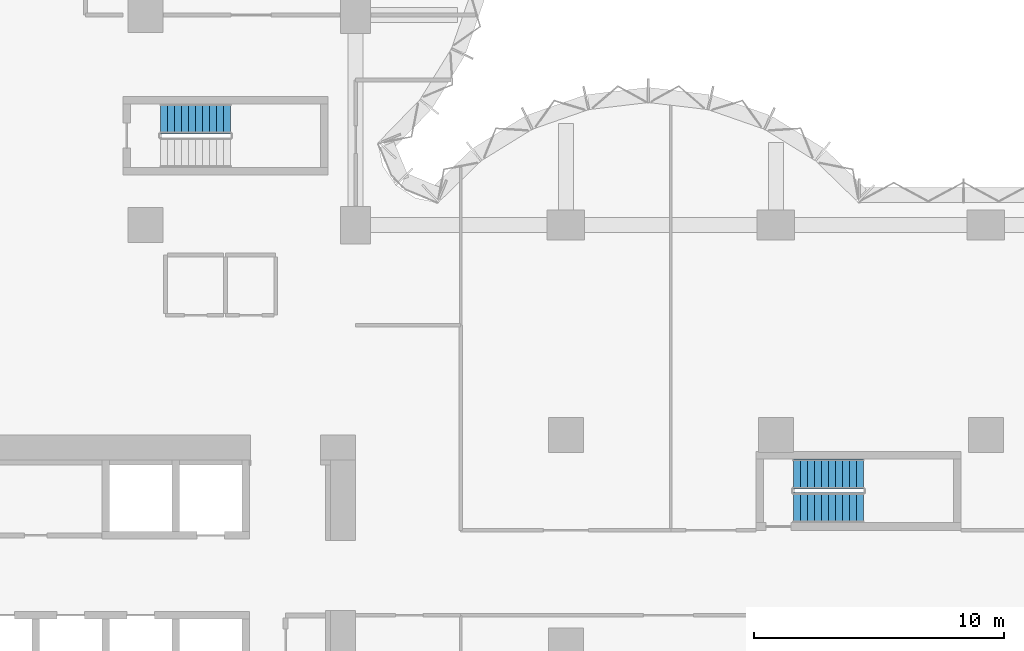
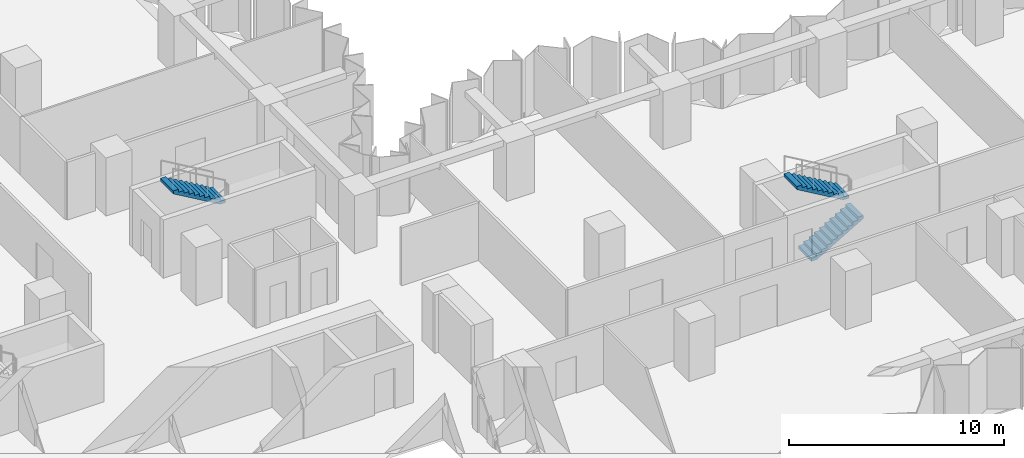
# One storey, part 12 of 15: 3 stair flights, 2 elements without a shape of their own.
"""IFC4 building model written with IfcOpenShell, lengths in metres."""

from ifc_helpers import new_model, si_unit, direction, frame, origin, place, context, subcontext, project, spatial, polyline, outline, extrude, material, type_object, element, aggregate, save


model = new_model("IFC4")

# Units and contexts
model_context = context("Model", 3, precision=1e-05, world=origin(), true_north=direction((0.0, 1.0)))
body_context = subcontext(model_context, "Body", "Model", "MODEL_VIEW")
ifc_project = project(units=[si_unit("LENGTHUNIT", "METRE"), si_unit("AREAUNIT", "SQUARE_METRE"), si_unit("VOLUMEUNIT", "CUBIC_METRE"), si_unit("PLANEANGLEUNIT", "RADIAN"), si_unit("MASSUNIT", "GRAM", prefix="KILO")], contexts=[model_context])

# Site, building, storey
site_placement = place(None, origin())
site = spatial("IfcSite", under=ifc_project, at=site_placement, CompositionType="ELEMENT")
building_placement = place(site_placement, origin())
building = spatial("IfcBuilding", under=site, at=building_placement, Name="Brevane Broadcast Tower", CompositionType="ELEMENT")
storey_placement = place(building_placement, frame((0.0, 0.0, 83.300048828125)))
storey = spatial("IfcBuildingStorey", under=building, at=storey_placement, Name="L19", CompositionType="ELEMENT", Elevation=83.300048828125)

# Stair, stair flight
ifc_material = material(Name="Concrete C50/60", Category="concrete")
stair_type = type_object("IfcStairType", Name="Exit stair 22 risers", PredefinedType="HALF_TURN_STAIR", material=ifc_material)
stair_1_placement = place(storey_placement, origin())
stair_1 = element("IfcStair", 1, at=stair_1_placement, inside=storey, type_object=stair_type, Name="L19 Exit stair ST-3", PredefinedType="HALF_TURN_STAIR")
stair_flight_type = type_object("IfcStairFlightType", Name="Exit stair flight 22 risers", PredefinedType="STRAIGHT", material=ifc_material)
stair_flight_1_placement = place(storey_placement, frame((20.199951171875, 29.449951171875, 1.800048828125), z_axis=(0.0, 0.0, 1.0), x_axis=(-1.0, 0.0, 0.0)))
stair_flight_1 = element("IfcStairFlight", 2, at=stair_flight_1_placement, type_object=stair_flight_type, Name="ST-3 flight 2", NumberOfRisers=11, NumberOfTreads=10, PredefinedType="STRAIGHT", RiserHeight=0.163636364, TreadLength=0.28, context=body_context, shape_type="SweptSolid", body=[
    extrude(outline(polyline([(0.0, 0.0), (0.0, 0.16357421875), (0.280029296875, 0.16357421875), (0.280029296875, 0.327392578125), (0.56005859375, 0.327392578125), (0.56005859375, 0.490966796875), (0.840087890625, 0.490966796875), (0.840087890625, 0.654541015625), (1.1201171875, 0.654541015625), (1.1201171875, 0.818115234375), (1.39990234375, 0.818115234375), (1.39990234375, 0.98193359375), (1.679931640625, 0.98193359375), (1.679931640625, 1.1455078125), (1.9599609375, 1.1455078125), (1.9599609375, 1.30908203125), (2.239990234375, 1.30908203125), (2.239990234375, 1.47265625), (2.52001953125, 1.47265625), (2.52001953125, 1.636474609375), (2.800048828125, 1.636474609375), (2.800048828125, 1.800048828125), (2.800048828125, 1.462646484375), (0.297119140625, 0.0), (0.0, 0.0)])), frame((0.0, 0.60009765625, 0.0), z_axis=(0.0, -1.0, 0.0), x_axis=(1.0, 0.0, 0.0)), (0.0, 0.0, 1.0), 1.199951171875),
])
aggregate(stair_1, [stair_flight_1])

# Stair, stair flights
stair_2_placement = place(storey_placement, origin())
stair_2 = element("IfcStair", 3, at=stair_2_placement, inside=storey, type_object=stair_type, Name="L19 Exit stair ST-4", PredefinedType="HALF_TURN_STAIR")
stair_flight_2_placement = place(storey_placement, frame((42.699951171875, 13.89990234375, 0.0), z_axis=(0.0, 0.0, 1.0), x_axis=(1.0, 0.0, 0.0)))
stair_flight_2 = element("IfcStairFlight", 4, at=stair_flight_2_placement, type_object=stair_flight_type, Name="ST-4 flight 1", NumberOfRisers=11, NumberOfTreads=10, PredefinedType="STRAIGHT", RiserHeight=0.163636364, TreadLength=0.28, context=body_context, shape_type="SweptSolid", body=[
    extrude(outline(polyline([(0.0, 0.0), (0.0, 0.16357421875), (0.280029296875, 0.16357421875), (0.280029296875, 0.327392578125), (0.56005859375, 0.327392578125), (0.56005859375, 0.490966796875), (0.840087890625, 0.490966796875), (0.840087890625, 0.654541015625), (1.1201171875, 0.654541015625), (1.1201171875, 0.818115234375), (1.39990234375, 0.818115234375), (1.39990234375, 0.98193359375), (1.679931640625, 0.98193359375), (1.679931640625, 1.1455078125), (1.9599609375, 1.1455078125), (1.9599609375, 1.30908203125), (2.239990234375, 1.30908203125), (2.239990234375, 1.47265625), (2.52001953125, 1.47265625), (2.52001953125, 1.636474609375), (2.800048828125, 1.636474609375), (2.800048828125, 1.800048828125), (2.800048828125, 1.462646484375), (0.297119140625, 0.0), (0.0, 0.0)])), frame((0.0, 0.60009765625, 0.0), z_axis=(0.0, -1.0, 0.0), x_axis=(1.0, 0.0, 0.0)), (0.0, 0.0, 1.0), 1.199951171875),
])
stair_flight_3_placement = place(storey_placement, frame((45.5, 15.25, 1.800048828125), z_axis=(0.0, 0.0, 1.0), x_axis=(-1.0, 0.0, 0.0)))
stair_flight_3 = element("IfcStairFlight", 5, at=stair_flight_3_placement, type_object=stair_flight_type, Name="ST-4 flight 2", NumberOfRisers=11, NumberOfTreads=10, PredefinedType="STRAIGHT", RiserHeight=0.163636364, TreadLength=0.28, context=body_context, shape_type="SweptSolid", body=[
    extrude(outline(polyline([(0.0, 0.0), (0.0, 0.16357421875), (0.280029296875, 0.16357421875), (0.280029296875, 0.327392578125), (0.56005859375, 0.327392578125), (0.56005859375, 0.490966796875), (0.840087890625, 0.490966796875), (0.840087890625, 0.654541015625), (1.1201171875, 0.654541015625), (1.1201171875, 0.818115234375), (1.39990234375, 0.818115234375), (1.39990234375, 0.98193359375), (1.679931640625, 0.98193359375), (1.679931640625, 1.1455078125), (1.9599609375, 1.1455078125), (1.9599609375, 1.30908203125), (2.239990234375, 1.30908203125), (2.239990234375, 1.47265625), (2.52001953125, 1.47265625), (2.52001953125, 1.636474609375), (2.800048828125, 1.636474609375), (2.800048828125, 1.800048828125), (2.800048828125, 1.462646484375), (0.297119140625, 0.0), (0.0, 0.0)])), frame((0.0, 0.60009765625, 0.0), z_axis=(0.0, -1.0, 0.0), x_axis=(1.0, 0.0, 0.0)), (0.0, 0.0, 1.0), 1.199951171875),
])
aggregate(stair_2, [stair_flight_2, stair_flight_3])

save(model, "model.ifc")
